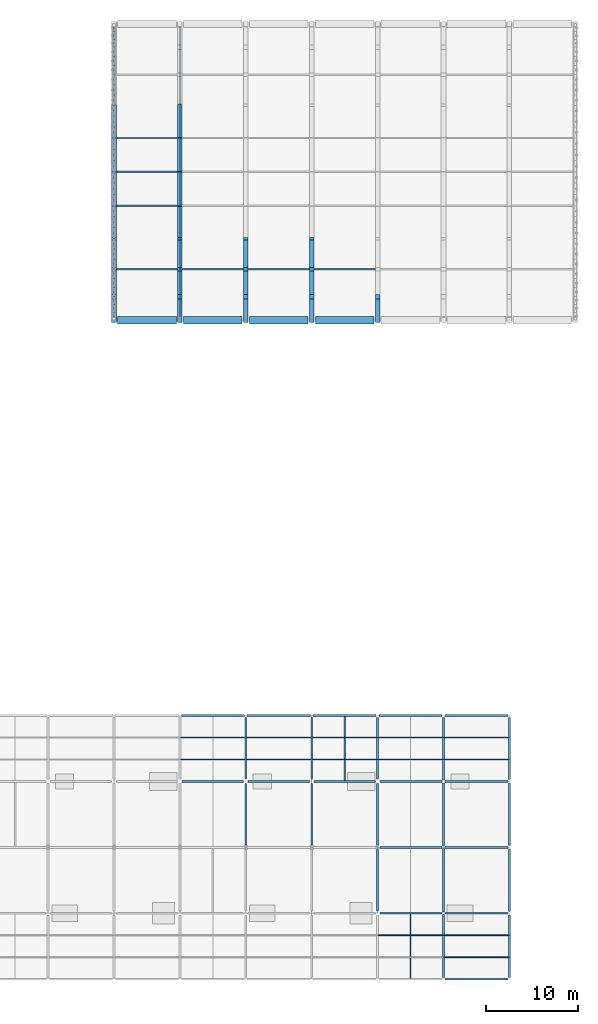
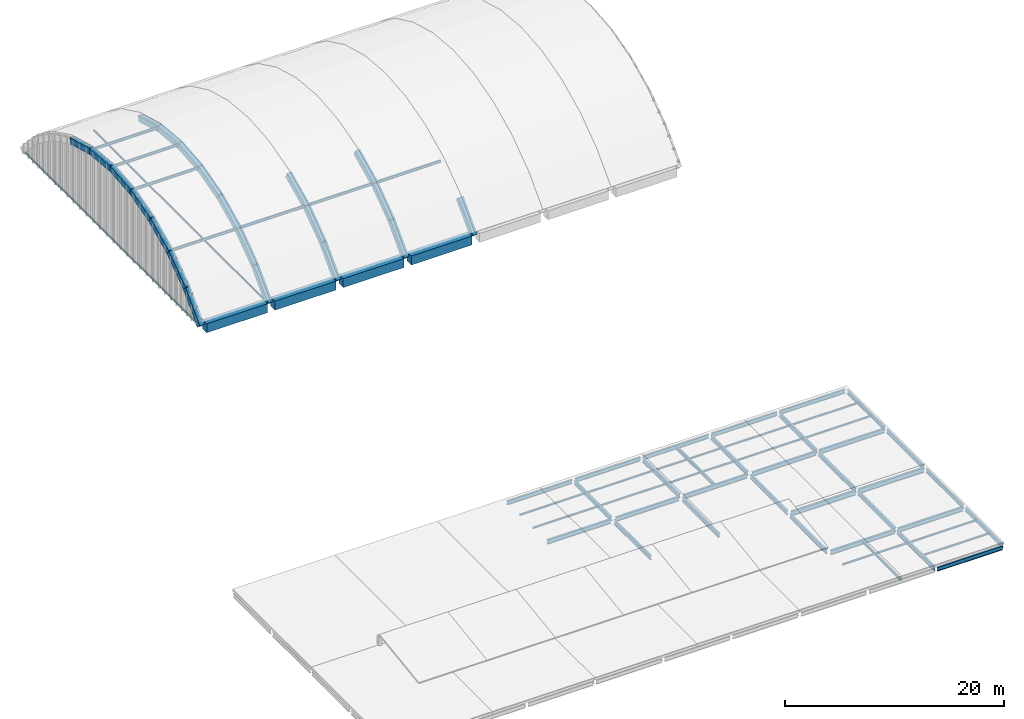
# One storey, part 4 of 16: 64 beams, 15 members.
"""IFC4 building model written with IfcOpenShell, lengths in metres."""

from ifc_helpers import new_model, si_unit, direction, frame, origin, origin_2d, place, context, subcontext, project, spatial, rectangle, hollow_circle, i_section, extrude, material, material_profile, profile_set, type_object, element, save


model = new_model("IFC4")

# Units and contexts
model_context = context("Model", 3, precision=1e-05, world=origin(), true_north=direction((0.0, 1.0)))
body_context = subcontext(model_context, "Body", "Model", "MODEL_VIEW")
ifc_project = project(units=[si_unit("LENGTHUNIT", "METRE"), si_unit("AREAUNIT", "SQUARE_METRE"), si_unit("VOLUMEUNIT", "CUBIC_METRE"), si_unit("PLANEANGLEUNIT", "RADIAN"), si_unit("MASSUNIT", "GRAM", prefix="KILO")], contexts=[model_context])

# Site, building, storey
site_placement = place(None, origin())
site = spatial("IfcSite", under=ifc_project, at=site_placement, CompositionType="ELEMENT")
building_placement = place(site_placement, origin())
building = spatial("IfcBuilding", under=site, at=building_placement, Name="Sardonyx Promenade Sports Hall", CompositionType="ELEMENT")
storey_placement = place(building_placement, frame((0.0, 0.0, 24.800048828125)))
storey = spatial("IfcBuildingStorey", under=building, at=storey_placement, Name="RF", CompositionType="ELEMENT", Elevation=24.800048828125)

# Beams
ifc_material_1 = material(Name="Steel S355JR", Category="steel")
ifc_material_profile_1 = material_profile(ifc_material_1, i_section(OverallWidth=0.14990234375, OverallDepth=0.300048828125, WebThickness=0.007080078125, FlangeThickness=0.0107421875, at=origin_2d()))
ifc_profile_set_1 = profile_set([ifc_material_profile_1], Name="Steel S355JR")
beam_type_1 = type_object("IfcBeamType", Name="Bm_Joist_IPE300", PredefinedType="JOIST", material=ifc_profile_set_1)
beam_1_placement = place(storey_placement, frame((61.199951171875, 0.094970703125, -0.380126953125), z_axis=(0.0, 1.0, 0.0), x_axis=(-1.0, 0.0, 0.0)))
element("IfcBeam", 1, at=beam_1_placement, inside=storey, type_object=beam_type_1, Name="Secondary joist SJ03 RF #1187", PredefinedType="JOIST", context=body_context, shape_type="SweptSolid", body=[
    extrude(i_section(OverallWidth=0.14990234375, OverallDepth=0.300048828125, WebThickness=0.007080078125, FlangeThickness=0.0107421875, at=origin_2d()), origin(), (0.0, 0.0, 1.0), 7.005126953125),
])
ifc_material_2 = material(Name="Steel S355JR", Category="steel")
ifc_material_profile_2 = material_profile(ifc_material_2, i_section(OverallWidth=0.179931640625, OverallDepth=0.39990234375, WebThickness=0.008544921875, FlangeThickness=0.013427734375, at=origin_2d()))
ifc_profile_set_2 = profile_set([ifc_material_profile_2], Name="Steel S355JR")
beam_type_2 = type_object("IfcBeamType", Name="Bm_Joist_IPE400", PredefinedType="JOIST", material=ifc_profile_set_2)
beam_2_placement = place(storey_placement, frame((54.0, 21.699951171875, -0.429931640625), z_axis=(0.0, 1.0, 0.0), x_axis=(-1.0, 0.0, 0.0)))
element("IfcBeam", 2, at=beam_2_placement, inside=storey, type_object=beam_type_2, Name="Secondary joist SJ02 RF #1186", PredefinedType="JOIST", context=body_context, shape_type="SweptSolid", body=[
    extrude(i_section(OverallWidth=0.179931640625, OverallDepth=0.39990234375, WebThickness=0.008544921875, FlangeThickness=0.013427734375, at=origin_2d()), origin(), (0.0, 0.0, 1.0), 7.005126953125),
])
ifc_material_3 = material(Name="Steel S355JR", Category="steel")
ifc_material_profile_3 = material_profile(ifc_material_3, i_section(OverallWidth=0.199951171875, OverallDepth=0.5, WebThickness=0.01025390625, FlangeThickness=0.01611328125, at=origin_2d()))
ifc_profile_set_3 = profile_set([ifc_material_profile_3], Name="Steel S355JR")
beam_type_3 = type_object("IfcBeamType", Name="Bm_Primary_IPE500", PredefinedType="BEAM", material=ifc_profile_set_3)
beam_3_placement = place(storey_placement, frame((57.85009765625, 7.199951171875, -0.47998046875), z_axis=(1.0, 0.0, 0.0), x_axis=(0.0, 1.0, 0.0)))
element("IfcBeam", 3, at=beam_3_placement, inside=storey, type_object=beam_type_3, Name="Beam SB06 RF #1115", PredefinedType="BEAM", context=body_context, shape_type="SweptSolid", body=[
    extrude(i_section(OverallWidth=0.199951171875, OverallDepth=0.5, WebThickness=0.01025390625, FlangeThickness=0.01611328125, at=origin_2d()), origin(), (0.0, 0.0, 1.0), 6.7998046875),
])
beam_4_placement = place(storey_placement, frame((64.949951171875, 7.199951171875, -0.47998046875), z_axis=(1.0, 0.0, 0.0), x_axis=(0.0, 1.0, 0.0)))
element("IfcBeam", 4, at=beam_4_placement, inside=storey, type_object=beam_type_3, Name="Beam SB06 RF #1116", PredefinedType="BEAM", context=body_context, shape_type="SweptSolid", body=[
    extrude(i_section(OverallWidth=0.199951171875, OverallDepth=0.5, WebThickness=0.01025390625, FlangeThickness=0.01611328125, at=origin_2d()), origin(), (0.0, 0.0, 1.0), 6.900146484375),
])
for number, where, z_axis, x_axis, name in (
    (5, (36.25, 21.60009765625, -0.47998046875), (1.0, 0.0, 0.0), (0.0, 1.0, 0.0), "Beam SB06 RF #1130"),
    (6, (43.449951171875, 21.60009765625, -0.47998046875), (1.0, 0.0, 0.0), (0.0, 1.0, 0.0), "Beam SB06 RF #1131"),
):
    element("IfcBeam", number, at=place(storey_placement, frame(where, z_axis=z_axis, x_axis=x_axis)), inside=storey, type_object=beam_type_3, Name=name, PredefinedType="BEAM", context=body_context, shape_type="SweptSolid", body=[
        extrude(i_section(OverallWidth=0.199951171875, OverallDepth=0.5, WebThickness=0.01025390625, FlangeThickness=0.01611328125, at=origin_2d()), origin(), (0.0, 0.0, 1.0), 6.699951171875),
    ])
beam_5_placement = place(storey_placement, frame((50.64990234375, 21.60009765625, -0.47998046875), z_axis=(1.0, 0.0, 0.0), x_axis=(0.0, 1.0, 0.0)))
element("IfcBeam", 7, at=beam_5_placement, inside=storey, type_object=beam_type_3, Name="Beam SB06 RF #1132", PredefinedType="BEAM", context=body_context, shape_type="SweptSolid", body=[
    extrude(i_section(OverallWidth=0.199951171875, OverallDepth=0.5, WebThickness=0.01025390625, FlangeThickness=0.01611328125, at=origin_2d()), origin(), (0.0, 0.0, 1.0), 6.7001953125),
])
beam_6_placement = place(storey_placement, frame((57.85009765625, 21.60009765625, -0.47998046875), z_axis=(1.0, 0.0, 0.0), x_axis=(0.0, 1.0, 0.0)))
element("IfcBeam", 8, at=beam_6_placement, inside=storey, type_object=beam_type_3, Name="Beam SB06 RF #1133", PredefinedType="BEAM", context=body_context, shape_type="SweptSolid", body=[
    extrude(i_section(OverallWidth=0.199951171875, OverallDepth=0.5, WebThickness=0.01025390625, FlangeThickness=0.01611328125, at=origin_2d()), origin(), (0.0, 0.0, 1.0), 6.7998046875),
])
beam_7_placement = place(storey_placement, frame((64.949951171875, 21.60009765625, -0.47998046875), z_axis=(1.0, 0.0, 0.0), x_axis=(0.0, 1.0, 0.0)))
element("IfcBeam", 9, at=beam_7_placement, inside=storey, type_object=beam_type_3, Name="Beam SB06 RF #1134", PredefinedType="BEAM", context=body_context, shape_type="SweptSolid", body=[
    extrude(i_section(OverallWidth=0.199951171875, OverallDepth=0.5, WebThickness=0.01025390625, FlangeThickness=0.01611328125, at=origin_2d()), origin(), (0.0, 0.0, 1.0), 6.900146484375),
])
beam_8_placement = place(storey_placement, frame((43.199951171875, 14.64990234375, -0.47998046875), z_axis=(0.0, 1.0, 0.0), x_axis=(-1.0, 0.0, 0.0)))
element("IfcBeam", 10, at=beam_8_placement, inside=storey, type_object=beam_type_3, Name="Beam SB06 RF #1166", PredefinedType="BEAM", context=body_context, shape_type="SweptSolid", body=[
    extrude(i_section(OverallWidth=0.199951171875, OverallDepth=0.5, WebThickness=0.01025390625, FlangeThickness=0.01611328125, at=origin_2d()), origin(), (0.0, 0.0, 1.0), 6.7001953125),
])
beam_9_placement = place(storey_placement, frame((43.199951171875, 21.85009765625, -0.47998046875), z_axis=(0.0, 1.0, 0.0), x_axis=(-1.0, 0.0, 0.0)))
element("IfcBeam", 11, at=beam_9_placement, inside=storey, type_object=beam_type_3, Name="Beam SB06 RF #1167", PredefinedType="BEAM", context=body_context, shape_type="SweptSolid", body=[
    extrude(i_section(OverallWidth=0.199951171875, OverallDepth=0.5, WebThickness=0.01025390625, FlangeThickness=0.01611328125, at=origin_2d()), origin(), (0.0, 0.0, 1.0), 6.7548828125),
])
beam_10_placement = place(storey_placement, frame((50.39990234375, 14.64990234375, -0.47998046875), z_axis=(0.0, 1.0, 0.0), x_axis=(-1.0, 0.0, 0.0)))
element("IfcBeam", 12, at=beam_10_placement, inside=storey, type_object=beam_type_3, Name="Beam SB06 RF #1170", PredefinedType="BEAM", context=body_context, shape_type="SweptSolid", body=[
    extrude(i_section(OverallWidth=0.199951171875, OverallDepth=0.5, WebThickness=0.01025390625, FlangeThickness=0.01611328125, at=origin_2d()), origin(), (0.0, 0.0, 1.0), 6.7001953125),
])
beam_11_placement = place(storey_placement, frame((50.39990234375, 21.85009765625, -0.47998046875), z_axis=(0.0, 1.0, 0.0), x_axis=(-1.0, 0.0, 0.0)))
element("IfcBeam", 13, at=beam_11_placement, inside=storey, type_object=beam_type_3, Name="Beam SB06 RF #1171", PredefinedType="BEAM", context=body_context, shape_type="SweptSolid", body=[
    extrude(i_section(OverallWidth=0.199951171875, OverallDepth=0.5, WebThickness=0.01025390625, FlangeThickness=0.01611328125, at=origin_2d()), origin(), (0.0, 0.0, 1.0), 6.7548828125),
])
beam_12_placement = place(storey_placement, frame((57.60009765625, 7.449951171875, -0.47998046875), z_axis=(0.0, 1.0, 0.0), x_axis=(-1.0, 0.0, 0.0)))
element("IfcBeam", 14, at=beam_12_placement, inside=storey, type_object=beam_type_3, Name="Beam SB06 RF #1173", PredefinedType="BEAM", context=body_context, shape_type="SweptSolid", body=[
    extrude(i_section(OverallWidth=0.199951171875, OverallDepth=0.5, WebThickness=0.01025390625, FlangeThickness=0.01611328125, at=origin_2d()), origin(), (0.0, 0.0, 1.0), 6.699951171875),
])
beam_13_placement = place(storey_placement, frame((57.60009765625, 14.64990234375, -0.47998046875), z_axis=(0.0, 1.0, 0.0), x_axis=(-1.0, 0.0, 0.0)))
element("IfcBeam", 15, at=beam_13_placement, inside=storey, type_object=beam_type_3, Name="Beam SB06 RF #1174", PredefinedType="BEAM", context=body_context, shape_type="SweptSolid", body=[
    extrude(i_section(OverallWidth=0.199951171875, OverallDepth=0.5, WebThickness=0.01025390625, FlangeThickness=0.01611328125, at=origin_2d()), origin(), (0.0, 0.0, 1.0), 6.7001953125),
])
beam_14_placement = place(storey_placement, frame((57.60009765625, 21.85009765625, -0.47998046875), z_axis=(0.0, 1.0, 0.0), x_axis=(-1.0, 0.0, 0.0)))
element("IfcBeam", 16, at=beam_14_placement, inside=storey, type_object=beam_type_3, Name="Beam SB06 RF #1175", PredefinedType="BEAM", context=body_context, shape_type="SweptSolid", body=[
    extrude(i_section(OverallWidth=0.199951171875, OverallDepth=0.5, WebThickness=0.01025390625, FlangeThickness=0.01611328125, at=origin_2d()), origin(), (0.0, 0.0, 1.0), 6.7548828125),
])
beam_15_placement = place(storey_placement, frame((64.800048828125, 0.195068359375, -0.47998046875), z_axis=(0.0, 1.0, 0.0), x_axis=(-1.0, 0.0, 0.0)))
element("IfcBeam", 17, at=beam_15_placement, inside=storey, type_object=beam_type_3, Name="Beam SB06 RF #1176", PredefinedType="BEAM", context=body_context, shape_type="SweptSolid", body=[
    extrude(i_section(OverallWidth=0.199951171875, OverallDepth=0.5, WebThickness=0.01025390625, FlangeThickness=0.01611328125, at=origin_2d()), origin(), (0.0, 0.0, 1.0), 6.85498046875),
])
for number, where, z_axis, x_axis, name in (
    (18, (64.800048828125, 7.35009765625, -0.47998046875), (0.0, 1.0, 0.0), (-1.0, 0.0, 0.0), "Beam SB06 RF #1177"),
    (19, (64.800048828125, 14.550048828125, -0.47998046875), (0.0, 1.0, 0.0), (-1.0, 0.0, 0.0), "Beam SB06 RF #1178"),
):
    element("IfcBeam", number, at=place(storey_placement, frame(where, z_axis=z_axis, x_axis=x_axis)), inside=storey, type_object=beam_type_3, Name=name, PredefinedType="BEAM", context=body_context, shape_type="SweptSolid", body=[
        extrude(i_section(OverallWidth=0.199951171875, OverallDepth=0.5, WebThickness=0.01025390625, FlangeThickness=0.01611328125, at=origin_2d()), origin(), (0.0, 0.0, 1.0), 6.89990234375),
    ])
beam_16_placement = place(storey_placement, frame((64.800048828125, 21.75, -0.47998046875), z_axis=(0.0, 1.0, 0.0), x_axis=(-1.0, 0.0, 0.0)))
element("IfcBeam", 20, at=beam_16_placement, inside=storey, type_object=beam_type_3, Name="Beam SB06 RF #1179", PredefinedType="BEAM", context=body_context, shape_type="SweptSolid", body=[
    extrude(i_section(OverallWidth=0.199951171875, OverallDepth=0.5, WebThickness=0.01025390625, FlangeThickness=0.01611328125, at=origin_2d()), origin(), (0.0, 0.0, 1.0), 6.85498046875),
])
ifc_material_4 = material(Name="Steel S355JR", Category="steel")
ifc_material_profile_4 = material_profile(ifc_material_4, i_section(OverallWidth=0.2099609375, OverallDepth=0.550048828125, WebThickness=0.010986328125, FlangeThickness=0.01708984375, at=origin_2d()))
ifc_profile_set_4 = profile_set([ifc_material_profile_4], Name="Steel S355JR")
beam_type_4 = type_object("IfcBeamType", Name="Bm_Primary_IPE550", PredefinedType="BEAM", material=ifc_profile_set_4)
beam_17_placement = place(storey_placement, frame((57.85009765625, 14.39990234375, -0.505126953125), z_axis=(1.0, 0.0, 0.0), x_axis=(0.0, 1.0, 0.0)))
element("IfcBeam", 21, at=beam_17_placement, inside=storey, type_object=beam_type_4, Name="Beam SB03 RF #1124", PredefinedType="BEAM", context=body_context, shape_type="SweptSolid", body=[
    extrude(i_section(OverallWidth=0.2099609375, OverallDepth=0.550048828125, WebThickness=0.010986328125, FlangeThickness=0.01708984375, at=origin_2d()), origin(), (0.0, 0.0, 1.0), 6.7998046875),
])
beam_18_placement = place(storey_placement, frame((64.949951171875, 14.39990234375, -0.505126953125), z_axis=(1.0, 0.0, 0.0), x_axis=(0.0, 1.0, 0.0)))
element("IfcBeam", 22, at=beam_18_placement, inside=storey, type_object=beam_type_4, Name="Beam SB03 RF #1125", PredefinedType="BEAM", context=body_context, shape_type="SweptSolid", body=[
    extrude(i_section(OverallWidth=0.2099609375, OverallDepth=0.550048828125, WebThickness=0.010986328125, FlangeThickness=0.01708984375, at=origin_2d()), origin(), (0.0, 0.0, 1.0), 6.900146484375),
])
ifc_material_5 = material(Name="Concrete C40/50", Category="concrete")
ifc_material_profile_5 = material_profile(ifc_material_5, rectangle(XDim=0.800048828125, YDim=1.0, at=origin_2d()))
ifc_profile_set_5 = profile_set([ifc_material_profile_5], Name="Concrete C40/50")
beam_type_5 = type_object("IfcBeamType", Name="Bm_Ring_Main", PredefinedType="BEAM", material=ifc_profile_set_5)
for number, where, z_axis, x_axis, name in (
    (23, (29.195068359375, 72.0, -4.5), (1.0, 0.0, 0.0), (0.0, 1.0, 0.0), "Vault springing ring beam RB1 V1 S1"),
    (24, (36.39501953125, 72.0, -4.5), (1.0, 0.0, 0.0), (0.0, 1.0, 0.0), "Vault springing ring beam RB1 V1 S2"),
    (25, (43.594970703125, 72.0, -4.5), (1.0, 0.0, 0.0), (0.0, 1.0, 0.0), "Vault springing ring beam RB1 V1 S3"),
):
    element("IfcBeam", number, at=place(storey_placement, frame(where, z_axis=z_axis, x_axis=x_axis)), inside=storey, type_object=beam_type_5, Name=name, PredefinedType="BEAM", context=body_context, shape_type="SweptSolid", body=[
        extrude(rectangle(XDim=0.800048828125, YDim=1.0, at=origin_2d()), origin(), (0.0, 0.0, 1.0), 6.409912109375),
    ])
beam_19_placement = place(storey_placement, frame((50.794921875, 72.0, -4.5), z_axis=(1.0, 0.0, 0.0), x_axis=(0.0, 1.0, 0.0)))
element("IfcBeam", 26, at=beam_19_placement, inside=storey, type_object=beam_type_5, Name="Vault springing ring beam RB1 V1 S4", PredefinedType="BEAM", context=body_context, shape_type="SweptSolid", body=[
    extrude(rectangle(XDim=0.800048828125, YDim=1.0, at=origin_2d()), origin(), (0.0, 0.0, 1.0), 6.41015625),
])
ifc_material_6 = material(Name="Steel S355JR", Category="steel")
ifc_material_profile_6 = material_profile(ifc_material_6, i_section(OverallWidth=0.18994140625, OverallDepth=0.449951171875, WebThickness=0.009521484375, FlangeThickness=0.0146484375, at=origin_2d()))
ifc_profile_set_6 = profile_set([ifc_material_profile_6], Name="Steel S355JR")
beam_type_6 = type_object("IfcBeamType", Name="Bm_Spandrel_Steel", PredefinedType="SPANDREL", material=ifc_profile_set_6)
beam_20_placement = place(storey_placement, frame((64.949951171875, 0.0, -0.455078125), z_axis=(1.0, 0.0, 0.0), x_axis=(0.0, 1.0, 0.0)))
element("IfcBeam", 27, at=beam_20_placement, inside=storey, type_object=beam_type_6, Name="Beam SPB3 RF #1107", PredefinedType="SPANDREL", context=body_context, shape_type="SweptSolid", body=[
    extrude(i_section(OverallWidth=0.18994140625, OverallDepth=0.449951171875, WebThickness=0.009521484375, FlangeThickness=0.0146484375, at=origin_2d()), origin(), (0.0, 0.0, 1.0), 6.900146484375),
])
beam_21_placement = place(storey_placement, frame((36.161865234375, 28.800048828125, -0.455078125), z_axis=(1.0, 0.0, 0.0), x_axis=(0.0, 1.0, 0.0)))
element("IfcBeam", 28, at=beam_21_placement, inside=storey, type_object=beam_type_6, Name="Beam SPB3 RF #1139", PredefinedType="SPANDREL", context=body_context, shape_type="SweptSolid", body=[
    extrude(i_section(OverallWidth=0.18994140625, OverallDepth=0.449951171875, WebThickness=0.009521484375, FlangeThickness=0.0146484375, at=origin_2d()), origin(), (0.0, 0.0, 1.0), 6.88818359375),
])
for number, where, z_axis, x_axis, name in (
    (29, (43.35009765625, 28.800048828125, -0.455078125), (1.0, 0.0, 0.0), (0.0, 1.0, 0.0), "Beam SPB3 RF #1140"),
    (30, (50.550048828125, 28.800048828125, -0.455078125), (1.0, 0.0, 0.0), (0.0, 1.0, 0.0), "Beam SPB3 RF #1141"),
    (31, (57.75, 28.800048828125, -0.455078125), (1.0, 0.0, 0.0), (0.0, 1.0, 0.0), "Beam SPB3 RF #1142"),
):
    element("IfcBeam", number, at=place(storey_placement, frame(where, z_axis=z_axis, x_axis=x_axis)), inside=storey, type_object=beam_type_6, Name=name, PredefinedType="SPANDREL", context=body_context, shape_type="SweptSolid", body=[
        extrude(i_section(OverallWidth=0.18994140625, OverallDepth=0.449951171875, WebThickness=0.009521484375, FlangeThickness=0.0146484375, at=origin_2d()), origin(), (0.0, 0.0, 1.0), 6.89990234375),
    ])
beam_22_placement = place(storey_placement, frame((64.949951171875, 28.800048828125, -0.455078125), z_axis=(1.0, 0.0, 0.0), x_axis=(0.0, 1.0, 0.0)))
element("IfcBeam", 32, at=beam_22_placement, inside=storey, type_object=beam_type_6, Name="Beam SPB3 RF #1143", PredefinedType="SPANDREL", context=body_context, shape_type="SweptSolid", body=[
    extrude(i_section(OverallWidth=0.18994140625, OverallDepth=0.449951171875, WebThickness=0.009521484375, FlangeThickness=0.0146484375, at=origin_2d()), origin(), (0.0, 0.0, 1.0), 6.900146484375),
])
beam_23_placement = place(storey_placement, frame((72.0, 0.195068359375, -0.455078125), z_axis=(0.0, 1.0, 0.0), x_axis=(-1.0, 0.0, 0.0)))
element("IfcBeam", 33, at=beam_23_placement, inside=storey, type_object=beam_type_6, Name="Beam SPB3 RF #1180", PredefinedType="SPANDREL", context=body_context, shape_type="SweptSolid", body=[
    extrude(i_section(OverallWidth=0.18994140625, OverallDepth=0.449951171875, WebThickness=0.009521484375, FlangeThickness=0.0146484375, at=origin_2d()), origin(), (0.0, 0.0, 1.0), 6.809814453125),
])
for number, where, z_axis, x_axis, name in (
    (34, (72.0, 7.39501953125, -0.455078125), (0.0, 1.0, 0.0), (-1.0, 0.0, 0.0), "Beam SPB3 RF #1181"),
    (35, (72.0, 14.594970703125, -0.455078125), (0.0, 1.0, 0.0), (-1.0, 0.0, 0.0), "Beam SPB3 RF #1182"),
    (36, (72.0, 21.794921875, -0.455078125), (0.0, 1.0, 0.0), (-1.0, 0.0, 0.0), "Beam SPB3 RF #1183"),
):
    element("IfcBeam", number, at=place(storey_placement, frame(where, z_axis=z_axis, x_axis=x_axis)), inside=storey, type_object=beam_type_6, Name=name, PredefinedType="SPANDREL", context=body_context, shape_type="SweptSolid", body=[
        extrude(i_section(OverallWidth=0.18994140625, OverallDepth=0.449951171875, WebThickness=0.009521484375, FlangeThickness=0.0146484375, at=origin_2d()), origin(), (0.0, 0.0, 1.0), 6.81005859375),
    ])
ifc_material_7 = material(Name="Steel S355JR", Category="steel")
ifc_material_profile_7 = material_profile(ifc_material_7, i_section(OverallWidth=0.14990234375, OverallDepth=0.300048828125, WebThickness=0.007080078125, FlangeThickness=0.0107421875, at=origin_2d()))
ifc_profile_set_7 = profile_set([ifc_material_profile_7], Name="Steel S355JR")
beam_type_7 = type_object("IfcBeamType", Name="Bm_VaultPurlin_Ext", PredefinedType="BEAM", material=ifc_profile_set_7)
for number, where, z_axis, x_axis, name in (
    (37, (29.048095703125, 77.57275390625, 0.697509765625), (1.0, 0.0, 0.0), (0.0, 1.0, 0.0), "Vault longitudinal purlin V1 bay 1 line 2"),
    (38, (29.048095703125, 84.50048828125, 3.297119140625), (1.0, 0.0, 0.0), (0.0, 1.0, 0.0), "Vault longitudinal purlin V1 bay 1 line 4"),
    (39, (29.048095703125, 88.199951171875, 3.6298828125), (1.0, 0.0, 0.0), (0.0, 1.0, 0.0), "Vault longitudinal purlin V1 bay 1 line 5"),
    (40, (29.048095703125, 91.899658203125, 3.297119140625), (1.0, 0.0, 0.0), (0.0, 1.0, 0.0), "Vault longitudinal purlin V1 bay 1 line 6"),
    (41, (36.248046875, 77.57275390625, 0.697509765625), (1.0, 0.0, 0.0), (0.0, 1.0, 0.0), "Vault longitudinal purlin V1 bay 2 line 2"),
):
    element("IfcBeam", number, at=place(storey_placement, frame(where, z_axis=z_axis, x_axis=x_axis)), inside=storey, type_object=beam_type_7, Name=name, PredefinedType="BEAM", context=body_context, shape_type="SweptSolid", body=[
        extrude(i_section(OverallWidth=0.14990234375, OverallDepth=0.300048828125, WebThickness=0.007080078125, FlangeThickness=0.0107421875, at=origin_2d()), origin(), (0.0, 0.0, 1.0), 6.703857421875),
    ])
for number, where, z_axis, x_axis, name in (
    (42, (43.447998046875, 77.57275390625, 0.697509765625), (1.0, 0.0, 0.0), (0.0, 1.0, 0.0), "Vault longitudinal purlin V1 bay 3 line 2"),
    (43, (50.64794921875, 77.57275390625, 0.697509765625), (1.0, 0.0, 0.0), (0.0, 1.0, 0.0), "Vault longitudinal purlin V1 bay 4 line 2"),
):
    element("IfcBeam", number, at=place(storey_placement, frame(where, z_axis=z_axis, x_axis=x_axis)), inside=storey, type_object=beam_type_7, Name=name, PredefinedType="BEAM", context=body_context, shape_type="SweptSolid", body=[
        extrude(i_section(OverallWidth=0.14990234375, OverallDepth=0.300048828125, WebThickness=0.007080078125, FlangeThickness=0.0107421875, at=origin_2d()), origin(), (0.0, 0.0, 1.0), 6.7041015625),
    ])
ifc_material_8 = material(Name="Concrete C40/50", Category="concrete")
ifc_material_profile_8 = material_profile(ifc_material_8, rectangle(XDim=0.5, YDim=0.64990234375, at=origin_2d()))
ifc_profile_set_8 = profile_set([ifc_material_profile_8], Name="Concrete C40/50")
beam_type_8 = type_object("IfcBeamType", Name="Bm_VaultRib_Main", PredefinedType="USERDEFINED", material=ifc_profile_set_8)
beam_24_placement = place(storey_placement, frame((28.800048828125, 72.0, -4.324951171875), z_axis=(0.0, 0.691189813973, 0.722673260236), x_axis=(-1.0, 0.0, 0.0)))
element("IfcBeam", 44, at=beam_24_placement, inside=storey, type_object=beam_type_8, Name="Barrel-vault arch rib AR1 Grid 5 chord 1", ObjectType="ARCH RIB", PredefinedType="USERDEFINED", context=body_context, shape_type="SweptSolid", body=[
    extrude(rectangle(XDim=0.5, YDim=0.64990234375, at=origin_2d()), origin(), (0.0, 0.0, 1.0), 3.71435546875),
])
for number, where, z_axis, x_axis, name in (
    (45, (28.800048828125, 74.5673828125, -1.640625), (0.0, 0.809071326549, 0.587710463201), (-1.0, 0.0, 0.0), "Barrel-vault arch rib AR1 Grid 5 chord 2"),
    (46, (28.800048828125, 77.57275390625, 0.54248046875), (0.0, 0.900992155124, 0.433835379384), (-1.0, 0.0, 0.0), "Barrel-vault arch rib AR1 Grid 5 chord 3"),
    (47, (28.800048828125, 80.919677734375, 2.154052734375), (0.0, 0.963976929868, 0.26598586181), (-1.0, 0.0, 0.0), "Barrel-vault arch rib AR1 Grid 5 chord 4"),
):
    element("IfcBeam", number, at=place(storey_placement, frame(where, z_axis=z_axis, x_axis=x_axis)), inside=storey, type_object=beam_type_8, Name=name, ObjectType="ARCH RIB", PredefinedType="USERDEFINED", context=body_context, shape_type="SweptSolid", body=[
        extrude(rectangle(XDim=0.5, YDim=0.64990234375, at=origin_2d()), origin(), (0.0, 0.0, 1.0), 3.714599609375),
    ])
beam_25_placement = place(storey_placement, frame((28.800048828125, 84.50048828125, 3.14208984375), z_axis=(0.0, 0.995978955941, 0.089587495344), x_axis=(-1.0, 0.0, 0.0)))
element("IfcBeam", 48, at=beam_25_placement, inside=storey, type_object=beam_type_8, Name="Barrel-vault arch rib AR1 Grid 5 chord 5", ObjectType="ARCH RIB", PredefinedType="USERDEFINED", context=body_context, shape_type="SweptSolid", body=[
    extrude(rectangle(XDim=0.5, YDim=0.64990234375, at=origin_2d()), origin(), (0.0, 0.0, 1.0), 3.71435546875),
])
for number, where, z_axis, x_axis, name in (
    (49, (28.800048828125, 88.199951171875, 3.474853515625), (0.0, 0.995979483419, -0.089581630982), (-1.0, 0.0, 0.0), "Barrel-vault arch rib AR1 Grid 5 chord 6"),
    (50, (28.800048828125, 91.899658203125, 3.14208984375), (0.0, 0.963976929868, -0.26598586181), (-1.0, 0.0, 0.0), "Barrel-vault arch rib AR1 Grid 5 chord 7"),
):
    element("IfcBeam", number, at=place(storey_placement, frame(where, z_axis=z_axis, x_axis=x_axis)), inside=storey, type_object=beam_type_8, Name=name, ObjectType="ARCH RIB", PredefinedType="USERDEFINED", context=body_context, shape_type="SweptSolid", body=[
        extrude(rectangle(XDim=0.5, YDim=0.64990234375, at=origin_2d()), origin(), (0.0, 0.0, 1.0), 3.714599609375),
    ])
beam_26_placement = place(storey_placement, frame((36.0, 72.0, -4.324951171875), z_axis=(0.0, 0.691189813973, 0.722673260236), x_axis=(-1.0, 0.0, 0.0)))
element("IfcBeam", 51, at=beam_26_placement, inside=storey, type_object=beam_type_8, Name="Barrel-vault arch rib AR1 Grid 6 chord 1", ObjectType="ARCH RIB", PredefinedType="USERDEFINED", context=body_context, shape_type="SweptSolid", body=[
    extrude(rectangle(XDim=0.5, YDim=0.64990234375, at=origin_2d()), origin(), (0.0, 0.0, 1.0), 3.71435546875),
])
for number, where, z_axis, x_axis, name in (
    (52, (36.0, 74.5673828125, -1.640625), (0.0, 0.809071326549, 0.587710463201), (-1.0, 0.0, 0.0), "Barrel-vault arch rib AR1 Grid 6 chord 2"),
    (53, (36.0, 77.57275390625, 0.54248046875), (0.0, 0.900992155124, 0.433835379384), (-1.0, 0.0, 0.0), "Barrel-vault arch rib AR1 Grid 6 chord 3"),
    (54, (36.0, 80.919677734375, 2.154052734375), (0.0, 0.963976929868, 0.26598586181), (-1.0, 0.0, 0.0), "Barrel-vault arch rib AR1 Grid 6 chord 4"),
):
    element("IfcBeam", number, at=place(storey_placement, frame(where, z_axis=z_axis, x_axis=x_axis)), inside=storey, type_object=beam_type_8, Name=name, ObjectType="ARCH RIB", PredefinedType="USERDEFINED", context=body_context, shape_type="SweptSolid", body=[
        extrude(rectangle(XDim=0.5, YDim=0.64990234375, at=origin_2d()), origin(), (0.0, 0.0, 1.0), 3.714599609375),
    ])
beam_27_placement = place(storey_placement, frame((36.0, 84.50048828125, 3.14208984375), z_axis=(0.0, 0.995978955941, 0.089587495344), x_axis=(-1.0, 0.0, 0.0)))
element("IfcBeam", 55, at=beam_27_placement, inside=storey, type_object=beam_type_8, Name="Barrel-vault arch rib AR1 Grid 6 chord 5", ObjectType="ARCH RIB", PredefinedType="USERDEFINED", context=body_context, shape_type="SweptSolid", body=[
    extrude(rectangle(XDim=0.5, YDim=0.64990234375, at=origin_2d()), origin(), (0.0, 0.0, 1.0), 3.71435546875),
])
for number, where, z_axis, x_axis, name in (
    (56, (36.0, 88.199951171875, 3.474853515625), (0.0, 0.995979483419, -0.089581630982), (-1.0, 0.0, 0.0), "Barrel-vault arch rib AR1 Grid 6 chord 6"),
    (57, (36.0, 91.899658203125, 3.14208984375), (0.0, 0.963976929868, -0.26598586181), (-1.0, 0.0, 0.0), "Barrel-vault arch rib AR1 Grid 6 chord 7"),
):
    element("IfcBeam", number, at=place(storey_placement, frame(where, z_axis=z_axis, x_axis=x_axis)), inside=storey, type_object=beam_type_8, Name=name, ObjectType="ARCH RIB", PredefinedType="USERDEFINED", context=body_context, shape_type="SweptSolid", body=[
        extrude(rectangle(XDim=0.5, YDim=0.64990234375, at=origin_2d()), origin(), (0.0, 0.0, 1.0), 3.714599609375),
    ])
beam_28_placement = place(storey_placement, frame((43.199951171875, 72.0, -4.324951171875), z_axis=(0.0, 0.691189813973, 0.722673260236), x_axis=(-1.0, 0.0, 0.0)))
element("IfcBeam", 58, at=beam_28_placement, inside=storey, type_object=beam_type_8, Name="Barrel-vault arch rib AR1 Grid 7 chord 1", ObjectType="ARCH RIB", PredefinedType="USERDEFINED", context=body_context, shape_type="SweptSolid", body=[
    extrude(rectangle(XDim=0.5, YDim=0.64990234375, at=origin_2d()), origin(), (0.0, 0.0, 1.0), 3.71435546875),
])
for number, where, z_axis, x_axis, name in (
    (59, (43.199951171875, 74.5673828125, -1.640625), (0.0, 0.809071326549, 0.587710463201), (-1.0, 0.0, 0.0), "Barrel-vault arch rib AR1 Grid 7 chord 2"),
    (60, (43.199951171875, 77.57275390625, 0.54248046875), (0.0, 0.900992155124, 0.433835379384), (-1.0, 0.0, 0.0), "Barrel-vault arch rib AR1 Grid 7 chord 3"),
):
    element("IfcBeam", number, at=place(storey_placement, frame(where, z_axis=z_axis, x_axis=x_axis)), inside=storey, type_object=beam_type_8, Name=name, ObjectType="ARCH RIB", PredefinedType="USERDEFINED", context=body_context, shape_type="SweptSolid", body=[
        extrude(rectangle(XDim=0.5, YDim=0.64990234375, at=origin_2d()), origin(), (0.0, 0.0, 1.0), 3.714599609375),
    ])
beam_29_placement = place(storey_placement, frame((50.39990234375, 72.0, -4.324951171875), z_axis=(0.0, 0.691189813973, 0.722673260236), x_axis=(-1.0, 0.0, 0.0)))
element("IfcBeam", 61, at=beam_29_placement, inside=storey, type_object=beam_type_8, Name="Barrel-vault arch rib AR1 Grid 8 chord 1", ObjectType="ARCH RIB", PredefinedType="USERDEFINED", context=body_context, shape_type="SweptSolid", body=[
    extrude(rectangle(XDim=0.5, YDim=0.64990234375, at=origin_2d()), origin(), (0.0, 0.0, 1.0), 3.71435546875),
])
for number, where, z_axis, x_axis, name in (
    (62, (50.39990234375, 74.5673828125, -1.640625), (0.0, 0.809071326549, 0.587710463201), (-1.0, 0.0, 0.0), "Barrel-vault arch rib AR1 Grid 8 chord 2"),
    (63, (50.39990234375, 77.57275390625, 0.54248046875), (0.0, 0.900992155124, 0.433835379384), (-1.0, 0.0, 0.0), "Barrel-vault arch rib AR1 Grid 8 chord 3"),
):
    element("IfcBeam", number, at=place(storey_placement, frame(where, z_axis=z_axis, x_axis=x_axis)), inside=storey, type_object=beam_type_8, Name=name, ObjectType="ARCH RIB", PredefinedType="USERDEFINED", context=body_context, shape_type="SweptSolid", body=[
        extrude(rectangle(XDim=0.5, YDim=0.64990234375, at=origin_2d()), origin(), (0.0, 0.0, 1.0), 3.714599609375),
    ])
beam_30_placement = place(storey_placement, frame((57.60009765625, 72.0, -4.324951171875), z_axis=(0.0, 0.691189813973, 0.722673260236), x_axis=(-1.0, 0.0, 0.0)))
element("IfcBeam", 64, at=beam_30_placement, inside=storey, type_object=beam_type_8, Name="Barrel-vault arch rib AR1 Grid 9 chord 1", ObjectType="ARCH RIB", PredefinedType="USERDEFINED", context=body_context, shape_type="SweptSolid", body=[
    extrude(rectangle(XDim=0.5, YDim=0.64990234375, at=origin_2d()), origin(), (0.0, 0.0, 1.0), 3.71435546875),
])

# Members
ifc_material_9 = material(Name="Steel S355JR", Category="steel")
ifc_material_profile_9 = material_profile(ifc_material_9, i_section(OverallWidth=0.10009765625, OverallDepth=0.199951171875, WebThickness=0.005615234375, FlangeThickness=0.008544921875, at=origin_2d()))
ifc_profile_set_9 = profile_set([ifc_material_profile_9], Name="Steel S355JR")
member_type_1 = type_object("IfcMemberType", Name="Mbr_Purlin_IPE200", PredefinedType="PURLIN", material=ifc_profile_set_9)
for number, where, z_axis, x_axis, name in (
    (65, (36.097900390625, 24.0, -0.330078125), (1.0, 0.0, 0.0), (0.0, 1.0, 0.0), "Roof purlin PR02 RF #33"),
    (66, (36.097900390625, 26.39990234375, -0.330078125), (1.0, 0.0, 0.0), (0.0, 1.0, 0.0), "Roof purlin PR02 RF #34"),
):
    element("IfcMember", number, at=place(storey_placement, frame(where, z_axis=z_axis, x_axis=x_axis)), inside=storey, type_object=member_type_1, Name=name, PredefinedType="PURLIN", context=body_context, shape_type="SweptSolid", body=[
        extrude(i_section(OverallWidth=0.10009765625, OverallDepth=0.199951171875, WebThickness=0.005615234375, FlangeThickness=0.008544921875, at=origin_2d()), origin(), (0.0, 0.0, 1.0), 7.004150390625),
    ])
for number, where, z_axis, x_axis, name in (
    (67, (43.298095703125, 24.0, -0.330078125), (1.0, 0.0, 0.0), (0.0, 1.0, 0.0), "Roof purlin PR02 RF #37"),
    (68, (43.298095703125, 26.39990234375, -0.330078125), (1.0, 0.0, 0.0), (0.0, 1.0, 0.0), "Roof purlin PR02 RF #38"),
    (69, (50.498046875, 24.0, -0.330078125), (1.0, 0.0, 0.0), (0.0, 1.0, 0.0), "Roof purlin PR02 RF #41"),
    (70, (50.498046875, 26.39990234375, -0.330078125), (1.0, 0.0, 0.0), (0.0, 1.0, 0.0), "Roof purlin PR02 RF #42"),
    (71, (57.697998046875, 4.800048828125, -0.330078125), (1.0, 0.0, 0.0), (0.0, 1.0, 0.0), "Roof purlin PR02 RF #44"),
    (72, (57.697998046875, 24.0, -0.330078125), (1.0, 0.0, 0.0), (0.0, 1.0, 0.0), "Roof purlin PR02 RF #45"),
    (73, (57.697998046875, 26.39990234375, -0.330078125), (1.0, 0.0, 0.0), (0.0, 1.0, 0.0), "Roof purlin PR02 RF #46"),
):
    element("IfcMember", number, at=place(storey_placement, frame(where, z_axis=z_axis, x_axis=x_axis)), inside=storey, type_object=member_type_1, Name=name, PredefinedType="PURLIN", context=body_context, shape_type="SweptSolid", body=[
        extrude(i_section(OverallWidth=0.10009765625, OverallDepth=0.199951171875, WebThickness=0.005615234375, FlangeThickness=0.008544921875, at=origin_2d()), origin(), (0.0, 0.0, 1.0), 7.00390625),
    ])
for number, where, z_axis, x_axis, name in (
    (74, (64.89794921875, 2.39990234375, -0.330078125), (1.0, 0.0, 0.0), (0.0, 1.0, 0.0), "Roof purlin PR02 RF #47"),
    (75, (64.89794921875, 4.800048828125, -0.330078125), (1.0, 0.0, 0.0), (0.0, 1.0, 0.0), "Roof purlin PR02 RF #48"),
    (76, (64.89794921875, 24.0, -0.330078125), (1.0, 0.0, 0.0), (0.0, 1.0, 0.0), "Roof purlin PR02 RF #49"),
    (77, (64.89794921875, 26.39990234375, -0.330078125), (1.0, 0.0, 0.0), (0.0, 1.0, 0.0), "Roof purlin PR02 RF #50"),
):
    element("IfcMember", number, at=place(storey_placement, frame(where, z_axis=z_axis, x_axis=x_axis)), inside=storey, type_object=member_type_1, Name=name, PredefinedType="PURLIN", context=body_context, shape_type="SweptSolid", body=[
        extrude(i_section(OverallWidth=0.10009765625, OverallDepth=0.199951171875, WebThickness=0.005615234375, FlangeThickness=0.008544921875, at=origin_2d()), origin(), (0.0, 0.0, 1.0), 7.009033203125),
    ])
ifc_material_10 = material(Name="Steel S355JR", Category="steel")
ifc_material_profile_10 = material_profile(ifc_material_10, hollow_circle(Radius=0.096923828125, WallThickness=0.010009765625, at=origin_2d()))
ifc_profile_set_10 = profile_set([ifc_material_profile_10], Name="Steel S355JR")
member_type_2 = type_object("IfcMemberType", Name="Mbr_VaultTie_CHS194", PredefinedType="CHORD", material=ifc_profile_set_10)
for number, where, z_axis, x_axis, name in (
    (78, (28.800048828125, 72.35009765625, -4.449951171875), (0.0, 1.0, 0.0), (-1.0, 0.0, 0.0), "Vault springing tie-rod VT01 Grid 5"),
    (79, (36.0, 72.35009765625, -4.449951171875), (0.0, 1.0, 0.0), (-1.0, 0.0, 0.0), "Vault springing tie-rod VT01 Grid 6"),
):
    element("IfcMember", number, at=place(storey_placement, frame(where, z_axis=z_axis, x_axis=x_axis)), inside=storey, type_object=member_type_2, Name=name, PredefinedType="CHORD", context=body_context, shape_type="SweptSolid", body=[
        extrude(hollow_circle(Radius=0.096923828125, WallThickness=0.010009765625, at=origin_2d()), origin(), (0.0, 0.0, 1.0), 31.699951171875),
    ])

save(model, "model.ifc")
